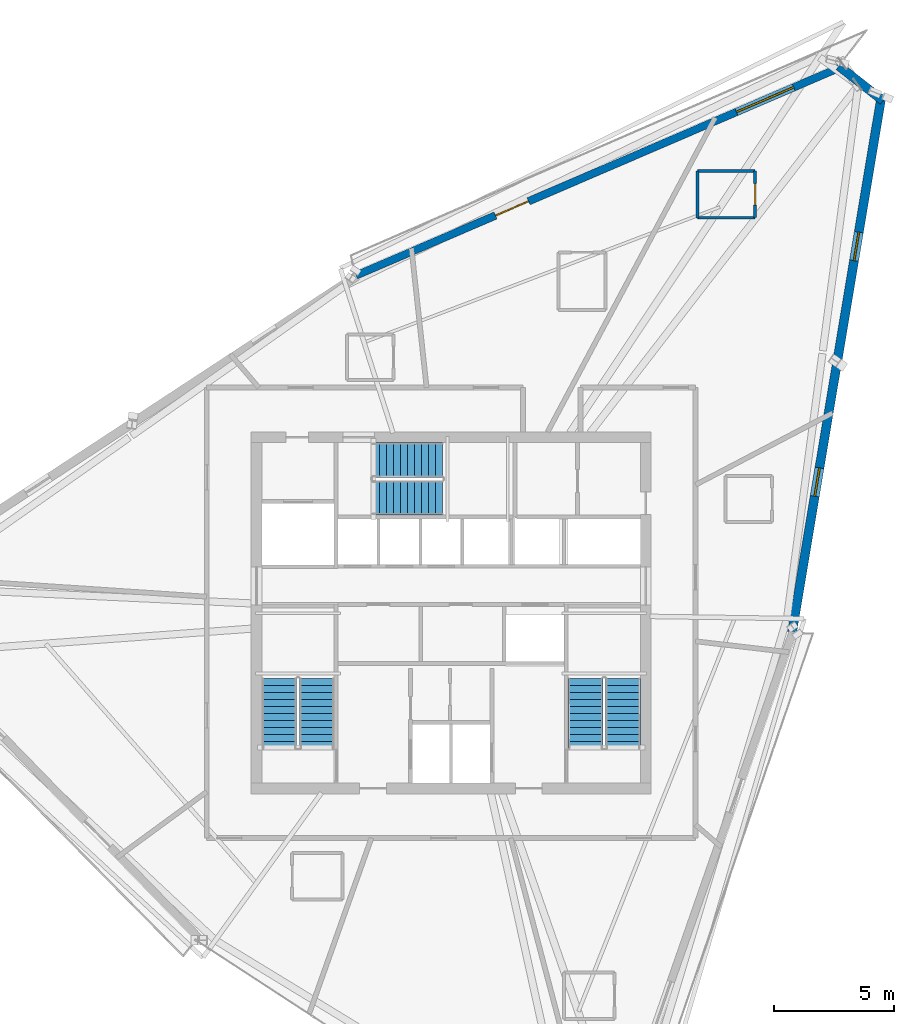
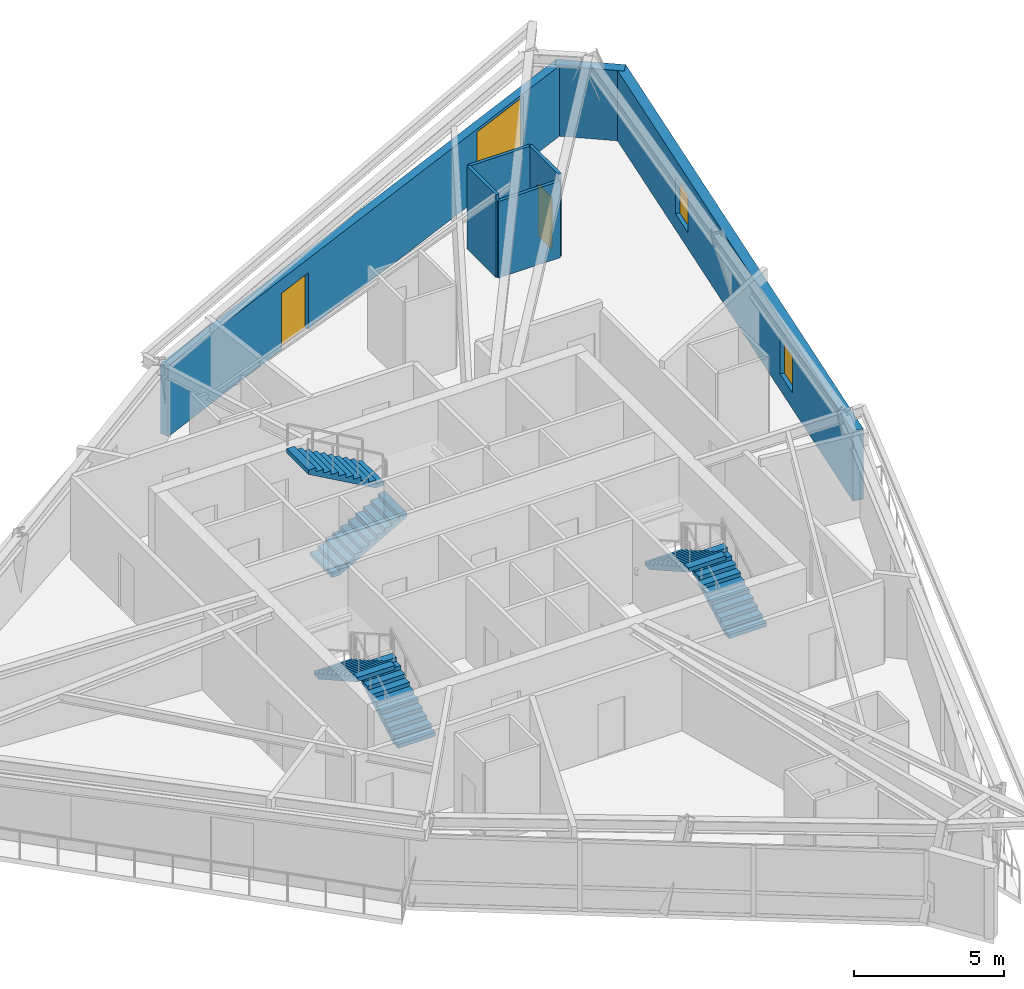
# One storey, part 11 of 14: 7 walls, 6 stair flights, 3 windows, 2 doors, 5 openings, 3 elements without a shape of their own.
"""IFC4 building model written with IfcOpenShell, lengths in metres."""

from ifc_helpers import new_model, si_unit, direction, frame, frame_2d, origin, place, context, subcontext, project, spatial, polyline, rectangle, outline, extrude, source, transform, mapped, material, layer, layer_set, type_object, type_shapes, element, fill, aggregate, save


model = new_model("IFC4")

# Units and contexts
model_context = context("Model", 3, precision=1e-05, world=origin(), true_north=direction((0.0, 1.0)))
body_context = subcontext(model_context, "Body", "Model", "MODEL_VIEW")
ifc_project = project(units=[si_unit("LENGTHUNIT", "METRE"), si_unit("AREAUNIT", "SQUARE_METRE"), si_unit("VOLUMEUNIT", "CUBIC_METRE"), si_unit("PLANEANGLEUNIT", "RADIAN"), si_unit("MASSUNIT", "GRAM", prefix="KILO")], contexts=[model_context])

# Site, building, storey
site_placement = place(None, origin())
site = spatial("IfcSite", under=ifc_project, at=site_placement, CompositionType="ELEMENT")
building_placement = place(site_placement, origin())
building = spatial("IfcBuilding", under=site, at=building_placement, Name="Olszyna Solenne Hotel", CompositionType="ELEMENT")
storey_placement = place(building_placement, frame((0.0, 0.0, 252.5)))
storey = spatial("IfcBuildingStorey", under=building, at=storey_placement, Name="L67", CompositionType="ELEMENT", Elevation=252.5)

# Wall, openings, door, window
ifc_material_1 = material(Name="Precast concrete C45/55", Category="concrete")
ifc_layer_1 = layer(ifc_material_1, 0.320068359375, Name="Precast concrete C45/55")
ifc_layer_set_1 = layer_set([ifc_layer_1], Name="Precast concrete C45/55")
wall_type_1 = type_object("IfcWallType", Name="WL-EX320", PredefinedType="SOLIDWALL", material=ifc_layer_set_1)
wall_1_placement = place(storey_placement, frame((34.03662109375, 40.680419921875, 0.0), z_axis=(0.0, 0.0, 1.0), x_axis=(0.918723841861, 0.394900623444, 0.0)))
wall_1 = element("IfcWall", 1, at=wall_1_placement, inside=storey, type_object=wall_type_1, Name="Exterior terracotta-precast frame wall WL-EX320 EW-L67-08", PredefinedType="SOLIDWALL", context=body_context, shape_type="SweptSolid", body=[
    extrude(rectangle(XDim=22.1240234375, YDim=0.320068359375, at=frame_2d((11.06201171875, 0.0))), origin(), (0.0, 0.0, 1.0), 2.8720703125),
])
opening_1_placement = place(wall_1_placement, frame((6.330078125, 0.0, 0.0)))
opening_1 = element("IfcOpeningElement", 2, at=opening_1_placement, cuts=wall_1, Name="Opening LDG-L67-1", PredefinedType="OPENING", context=body_context, shape_type="SweptSolid", body=[
    extrude(rectangle(XDim=1.5, YDim=2.300048828125, at=frame_2d((0.75, 1.14990234375))), frame((0.0, 0.169921875, 0.0), z_axis=(0.0, -1.0, 0.0), x_axis=(1.0, 0.0, 0.0)), (0.0, 0.0, 1.0), 0.340087890625),
])
opening_2_placement = place(wall_1_placement, frame((17.27197265625, 0.0, 0.402099609375)))
opening_2 = element("IfcOpeningElement", 3, at=opening_2_placement, cuts=wall_1, Name="Opening WN-L67-445", PredefinedType="OPENING", context=body_context, shape_type="SweptSolid", body=[
    extrude(rectangle(XDim=2.60009765625, YDim=2.35009765625, at=frame_2d((1.300048828125, 1.175048828125))), frame((0.0, 0.169921875, 0.0), z_axis=(0.0, -1.0, 0.0), x_axis=(1.0, 0.0, 0.0)), (0.0, 0.0, 1.0), 0.340087890625),
])
ifc_material_2 = material(Name="Anodised bronze aluminium", Category="aluminium")
door_type_1 = type_object("IfcDoorType", Name="DR-LG2", OperationType="DOUBLE_DOOR_SINGLE_SWING", PredefinedType="DOOR", material=ifc_material_2)
shared_shape_1 = source(origin(), body_context, "Body", "SweptSolid", [
    extrude(rectangle(XDim=1.5, YDim=2.300048828125, at=frame_2d((0.75, 1.14990234375))), frame((0.0, 0.02490234375, 0.0), z_axis=(0.0, -1.0, 0.0), x_axis=(1.0, 0.0, 0.0)), (0.0, 0.0, 1.0), 0.050048828125),
])
type_shapes(door_type_1, [shared_shape_1])
door_1_placement = place(opening_1_placement, origin())
door_1 = element("IfcDoor", 4, at=door_1_placement, inside=storey, type_object=door_type_1, Name="Exterior loggia balcony door DR-LG2 LDG-L67-1", OperationType="DOUBLE_DOOR_SINGLE_SWING", OverallHeight=2.300048828125, OverallWidth=1.5, PredefinedType="DOOR", context=body_context, shape_type="MappedRepresentation", body=[
    mapped(shared_shape_1, transform((0.0, 0.0, 0.0), x_axis=(1.0, 0.0, 0.0), y_axis=(0.0, 1.0, 0.0), z_axis=(0.0, 0.0, 1.0), scale=1.0)),
])
fill(opening_1, door_1)
ifc_material_3 = material(Name="Low-E triple glazing", Category="glass")
window_type_1 = type_object("IfcWindowType", Name="WN-ST1", PartitioningType="SINGLE_PANEL", PredefinedType="WINDOW", material=ifc_material_3)
shared_shape_2 = source(origin(), body_context, "Body", "SweptSolid", [
    extrude(rectangle(XDim=2.60009765625, YDim=2.35009765625, at=frame_2d((1.300048828125, 1.175048828125))), frame((0.0, 0.030029296875, 0.0), z_axis=(0.0, -1.0, 0.0), x_axis=(1.0, 0.0, 0.0)), (0.0, 0.0, 1.0), 0.06005859375),
])
type_shapes(window_type_1, [shared_shape_2])
window_1_placement = place(opening_2_placement, origin())
window_1 = element("IfcWindow", 5, at=window_1_placement, inside=storey, type_object=window_type_1, Name="Loggia room window WN-ST1 WN-L67-445", OverallHeight=2.35009765625, OverallWidth=2.60009765625, PartitioningType="SINGLE_PANEL", PredefinedType="WINDOW", context=body_context, shape_type="MappedRepresentation", body=[
    mapped(shared_shape_2, transform((0.0, 0.0, 0.0), x_axis=(1.0, 0.0, 0.0), y_axis=(0.0, 1.0, 0.0), z_axis=(0.0, 0.0, 1.0), scale=1.0)),
])
fill(opening_2, window_1)

# Wall
ifc_material_4 = material(Name="Terracotta cladding on precast concrete C45/55", Category="masonry")
ifc_layer_2 = layer(ifc_material_4, 0.3798828125, Name="Terracotta cladding on precast concrete C45/55")
ifc_layer_set_2 = layer_set([ifc_layer_2], Name="Terracotta cladding on precast concrete C45/55")
wall_type_2 = type_object("IfcWallType", Name="WL-EX380", PredefinedType="SOLIDWALL", material=ifc_layer_set_2)
wall_2_placement = place(storey_placement, frame((54.182373046875, 49.41455078125, 0.0), z_axis=(0.0, 0.0, 1.0), x_axis=(0.787515983011, -0.616294228841, 0.0)))
element("IfcWall", 6, at=wall_2_placement, inside=storey, type_object=wall_type_2, Name="Exterior terracotta-precast frame wall WL-EX380 EW-L67-09", PredefinedType="SOLIDWALL", context=body_context, shape_type="SweptSolid", body=[
    extrude(rectangle(XDim=2.345458984375, YDim=0.3798828125, at=frame_2d((1.1728515625, 0.0))), origin(), (0.0, 0.0, 1.0), 2.8720703125),
])

# Wall, openings, windows
wall_3_placement = place(storey_placement, frame((55.959228515625, 48.14990234375, 0.0), z_axis=(0.0, 0.0, 1.0), x_axis=(-0.164634811141, -0.986354590885, 0.0)))
wall_3 = element("IfcWall", 7, at=wall_3_placement, inside=storey, type_object=wall_type_2, Name="Exterior terracotta-precast frame wall WL-EX380 EW-L67-10", PredefinedType="SOLIDWALL", context=body_context, shape_type="SweptSolid", body=[
    extrude(rectangle(XDim=22.66357421875, YDim=0.3798828125, at=frame_2d((11.331787109375, 0.0))), origin(), (0.0, 0.0, 1.0), 2.8720703125),
])
opening_3_placement = place(wall_3_placement, frame((5.74609375, 0.0, 0.64990234375)))
opening_3 = element("IfcOpeningElement", 8, at=opening_3_placement, cuts=wall_3, Name="Opening WN-L67-446", PredefinedType="OPENING", context=body_context, shape_type="SweptSolid", body=[
    extrude(rectangle(XDim=1.199951171875, YDim=1.5, at=frame_2d((0.60009765625, 0.75))), frame((0.0, 0.199951171875, 0.0), z_axis=(0.0, -1.0, 0.0), x_axis=(1.0, 0.0, 0.0)), (0.0, 0.0, 1.0), 0.39990234375),
])
opening_4_placement = place(wall_3_placement, frame((15.718017578125, 0.0, 0.64990234375)))
opening_4 = element("IfcOpeningElement", 9, at=opening_4_placement, cuts=wall_3, Name="Opening WN-L67-447", PredefinedType="OPENING", context=body_context, shape_type="SweptSolid", body=[
    extrude(rectangle(XDim=1.199951171875, YDim=1.5, at=frame_2d((0.60009765625, 0.75))), frame((0.0, 0.199951171875, 0.0), z_axis=(0.0, -1.0, 0.0), x_axis=(1.0, 0.0, 0.0)), (0.0, 0.0, 1.0), 0.39990234375),
])
window_type_2 = type_object("IfcWindowType", Name="WN-B1", PartitioningType="SINGLE_PANEL", PredefinedType="WINDOW", material=ifc_material_3)
shared_shape_3 = source(origin(), body_context, "Body", "SweptSolid", [
    extrude(rectangle(XDim=1.199951171875, YDim=1.5, at=frame_2d((0.60009765625, 0.75))), frame((0.0, 0.030029296875, 0.0), z_axis=(0.0, -1.0, 0.0), x_axis=(1.0, 0.0, 0.0)), (0.0, 0.0, 1.0), 0.06005859375),
])
type_shapes(window_type_2, [shared_shape_3])
window_2_placement = place(opening_3_placement, origin())
window_2 = element("IfcWindow", 10, at=window_2_placement, inside=storey, type_object=window_type_2, Name="Exterior facade window WN-B1 WN-L67-446", OverallHeight=1.5, OverallWidth=1.199951171875, PartitioningType="SINGLE_PANEL", PredefinedType="WINDOW", context=body_context, shape_type="MappedRepresentation", body=[
    mapped(shared_shape_3, transform((0.0, 0.0, 0.0), x_axis=(1.0, 0.0, 0.0), y_axis=(0.0, 1.0, 0.0), z_axis=(0.0, 0.0, 1.0), scale=1.0)),
])
fill(opening_3, window_2)
window_3_placement = place(opening_4_placement, origin())
window_3 = element("IfcWindow", 11, at=window_3_placement, inside=storey, type_object=window_type_2, Name="Exterior facade window WN-B1 WN-L67-447", OverallHeight=1.5, OverallWidth=1.199951171875, PartitioningType="SINGLE_PANEL", PredefinedType="WINDOW", context=body_context, shape_type="MappedRepresentation", body=[
    mapped(shared_shape_3, transform((0.0, 0.0, 0.0), x_axis=(1.0, 0.0, 0.0), y_axis=(0.0, 1.0, 0.0), z_axis=(0.0, 0.0, 1.0), scale=1.0)),
])
fill(opening_4, window_3)

# Wall, opening, door
ifc_material_5 = material(Name="Acoustic gypsum partition", Category="gypsum")
ifc_layer_3 = layer(ifc_material_5, 0.125, Name="Acoustic gypsum partition")
ifc_layer_set_3 = layer_set([ifc_layer_3], Name="Acoustic gypsum partition")
wall_type_3 = type_object("IfcWallType", Name="WL-PT125", PredefinedType="PARTITIONING", material=ifc_layer_set_3)
wall_4_placement = place(storey_placement, frame((50.68896484375, 43.0859375, 0.0), z_axis=(0.0, 0.0, 1.0), x_axis=(0.0, 1.0, 0.0)))
wall_4 = element("IfcWall", 12, at=wall_4_placement, inside=storey, type_object=wall_type_3, Name="Interior acoustic partition WL-PT125 PW-L67-3742", PredefinedType="PARTITIONING", context=body_context, shape_type="SweptSolid", body=[
    extrude(rectangle(XDim=1.949951171875, YDim=0.125, at=frame_2d((0.97509765625, 0.0))), origin(), (0.0, 0.0, 1.0), 3.3798828125),
])
opening_5_placement = place(wall_4_placement, frame((0.52490234375, 0.0, 0.0)))
opening_5 = element("IfcOpeningElement", 13, at=opening_5_placement, cuts=wall_4, Name="Opening DR-L67-0910", PredefinedType="OPENING", context=body_context, shape_type="SweptSolid", body=[
    extrude(rectangle(XDim=0.89990234375, YDim=2.10009765625, at=frame_2d((0.449951171875, 1.050048828125))), frame((0.0, 0.072509765625, 0.0), z_axis=(0.0, -1.0, 0.0), x_axis=(1.0, 0.0, 0.0)), (0.0, 0.0, 1.0), 0.14501953125),
])
ifc_material_6 = material(Name="Timber hardwood", Category="wood")
door_type_2 = type_object("IfcDoorType", Name="DR-WC1", OperationType="NOTDEFINED", PredefinedType="DOOR", material=ifc_material_6)
shared_shape_4 = source(origin(), body_context, "Body", "SweptSolid", [
    extrude(rectangle(XDim=0.89990234375, YDim=2.10009765625, at=frame_2d((0.449951171875, 1.050048828125))), frame((0.0, 0.02490234375, 0.0), z_axis=(0.0, -1.0, 0.0), x_axis=(1.0, 0.0, 0.0)), (0.0, 0.0, 1.0), 0.050048828125),
])
type_shapes(door_type_2, [shared_shape_4])
door_2_placement = place(opening_5_placement, origin())
door_2 = element("IfcDoor", 14, at=door_2_placement, inside=storey, type_object=door_type_2, Name="En-Suite Bathroom Door DR-L67-0910", OperationType="SINGLE_SWING_RIGHT", OverallHeight=2.10009765625, OverallWidth=0.89990234375, PredefinedType="DOOR", context=body_context, shape_type="MappedRepresentation", body=[
    mapped(shared_shape_4, transform((0.0, 0.0, 0.0), x_axis=(1.0, 0.0, 0.0), y_axis=(0.0, 1.0, 0.0), z_axis=(0.0, 0.0, 1.0), scale=1.0)),
])
fill(opening_5, door_2)

# Walls
wall_5_placement = place(storey_placement, frame((50.68896484375, 45.035888671875, 0.0), z_axis=(0.0, 0.0, 1.0), x_axis=(-1.0, 0.0, 0.0)))
element("IfcWall", 15, at=wall_5_placement, inside=storey, type_object=wall_type_3, Name="Interior acoustic partition WL-PT125 PW-L67-3743", PredefinedType="PARTITIONING", context=body_context, shape_type="SweptSolid", body=[
    extrude(rectangle(XDim=2.39990234375, YDim=0.125, at=frame_2d((1.199951171875, 0.0))), origin(), (0.0, 0.0, 1.0), 3.3798828125),
])
wall_6_placement = place(storey_placement, frame((48.2890625, 45.035888671875, 0.0), z_axis=(0.0, 0.0, 1.0), x_axis=(0.0, -1.0, 0.0)))
element("IfcWall", 16, at=wall_6_placement, inside=storey, type_object=wall_type_3, Name="Interior acoustic partition WL-PT125 PW-L67-3744", PredefinedType="PARTITIONING", context=body_context, shape_type="SweptSolid", body=[
    extrude(rectangle(XDim=1.949951171875, YDim=0.125, at=frame_2d((0.97509765625, 0.0))), origin(), (0.0, 0.0, 1.0), 3.3798828125),
])
wall_7_placement = place(storey_placement, frame((48.2890625, 43.0859375, 0.0), z_axis=(0.0, 0.0, 1.0), x_axis=(1.0, 0.0, 0.0)))
element("IfcWall", 17, at=wall_7_placement, inside=storey, type_object=wall_type_3, Name="Interior acoustic partition WL-PT125 PW-L67-3745", PredefinedType="PARTITIONING", context=body_context, shape_type="SweptSolid", body=[
    extrude(rectangle(XDim=2.39990234375, YDim=0.125, at=frame_2d((1.199951171875, 0.0))), origin(), (0.0, 0.0, 1.0), 3.125),
])

# Stair, stair flights
ifc_material_7 = material(Name="Concrete C40/50", Category="concrete")
stair_type = type_object("IfcStairType", Name="STR-C1", PredefinedType="TWO_QUARTER_WINDING_STAIR", material=ifc_material_7)
stair_1_placement = place(storey_placement, origin())
stair_1 = element("IfcStair", 18, at=stair_1_placement, inside=storey, type_object=stair_type, Name="L67 ST1", PredefinedType="TWO_QUARTER_WINDING_STAIR")
stair_flight_type = type_object("IfcStairFlightType", Name="FLT-C1", PredefinedType="STRAIGHT", material=ifc_material_7)
stair_flight_1_placement = place(storey_placement, frame((32.39501953125, 20.949951171875, 0.0), z_axis=(0.0, 0.0, 1.0), x_axis=(0.0, 1.0, 0.0)))
stair_flight_1 = element("IfcStairFlight", 19, at=stair_flight_1_placement, type_object=stair_flight_type, Name="ST1 flight 1", NumberOfRisers=11, NumberOfTreads=10, PredefinedType="STRAIGHT", RiserHeight=0.163636364, TreadLength=0.29, context=body_context, shape_type="SweptSolid", body=[
    extrude(outline(polyline([(0.0, 0.0), (0.0, 0.16357421875), (0.2900390625, 0.16357421875), (0.2900390625, 0.327392578125), (0.580078125, 0.327392578125), (0.580078125, 0.490966796875), (0.8701171875, 0.490966796875), (0.8701171875, 0.654541015625), (1.159912109375, 0.654541015625), (1.159912109375, 0.818115234375), (1.449951171875, 0.818115234375), (1.449951171875, 0.98193359375), (1.739990234375, 0.98193359375), (1.739990234375, 1.1455078125), (2.030029296875, 1.1455078125), (2.030029296875, 1.30908203125), (2.320068359375, 1.30908203125), (2.320068359375, 1.47265625), (2.610107421875, 1.47265625), (2.610107421875, 1.636474609375), (2.89990234375, 1.636474609375), (2.89990234375, 1.800048828125), (2.89990234375, 1.46435546875), (0.304931640625, 0.0), (0.0, 0.0)])), frame((0.0, 0.72509765625, 0.0), z_axis=(0.0, -1.0, 0.0), x_axis=(1.0, 0.0, 0.0)), (0.0, 0.0, 1.0), 1.449951171875),
])
stair_flight_2_placement = place(storey_placement, frame((30.824951171875, 23.85009765625, 1.800048828125), z_axis=(0.0, 0.0, 1.0), x_axis=(0.0, -1.0, 0.0)))
stair_flight_2 = element("IfcStairFlight", 20, at=stair_flight_2_placement, type_object=stair_flight_type, Name="ST1 flight 2", NumberOfRisers=11, NumberOfTreads=10, PredefinedType="STRAIGHT", RiserHeight=0.163636364, TreadLength=0.29, context=body_context, shape_type="SweptSolid", body=[
    extrude(outline(polyline([(0.0, 0.0), (0.0, 0.16357421875), (0.2900390625, 0.16357421875), (0.2900390625, 0.327392578125), (0.580078125, 0.327392578125), (0.580078125, 0.490966796875), (0.8701171875, 0.490966796875), (0.8701171875, 0.654541015625), (1.159912109375, 0.654541015625), (1.159912109375, 0.818115234375), (1.449951171875, 0.818115234375), (1.449951171875, 0.98193359375), (1.739990234375, 0.98193359375), (1.739990234375, 1.1455078125), (2.030029296875, 1.1455078125), (2.030029296875, 1.30908203125), (2.320068359375, 1.30908203125), (2.320068359375, 1.47265625), (2.610107421875, 1.47265625), (2.610107421875, 1.636474609375), (2.89990234375, 1.636474609375), (2.89990234375, 1.800048828125), (2.89990234375, 1.46435546875), (0.304931640625, 0.0), (0.0, 0.0)])), frame((0.0, 0.72509765625, 0.0), z_axis=(0.0, -1.0, 0.0), x_axis=(1.0, 0.0, 0.0)), (0.0, 0.0, 1.0), 1.449951171875),
])
aggregate(stair_1, [stair_flight_1, stair_flight_2])

stair_2_placement = place(storey_placement, origin())
stair_2 = element("IfcStair", 21, at=stair_2_placement, inside=storey, type_object=stair_type, Name="L67 ST2", PredefinedType="TWO_QUARTER_WINDING_STAIR")
stair_flight_3_placement = place(storey_placement, frame((45.175048828125, 20.949951171875, 0.0), z_axis=(0.0, 0.0, 1.0), x_axis=(0.0, 1.0, 0.0)))
stair_flight_3 = element("IfcStairFlight", 22, at=stair_flight_3_placement, type_object=stair_flight_type, Name="ST2 flight 1", NumberOfRisers=11, NumberOfTreads=10, PredefinedType="STRAIGHT", RiserHeight=0.163636364, TreadLength=0.29, context=body_context, shape_type="SweptSolid", body=[
    extrude(outline(polyline([(0.0, 0.0), (0.0, 0.16357421875), (0.2900390625, 0.16357421875), (0.2900390625, 0.327392578125), (0.580078125, 0.327392578125), (0.580078125, 0.490966796875), (0.8701171875, 0.490966796875), (0.8701171875, 0.654541015625), (1.159912109375, 0.654541015625), (1.159912109375, 0.818115234375), (1.449951171875, 0.818115234375), (1.449951171875, 0.98193359375), (1.739990234375, 0.98193359375), (1.739990234375, 1.1455078125), (2.030029296875, 1.1455078125), (2.030029296875, 1.30908203125), (2.320068359375, 1.30908203125), (2.320068359375, 1.47265625), (2.610107421875, 1.47265625), (2.610107421875, 1.636474609375), (2.89990234375, 1.636474609375), (2.89990234375, 1.800048828125), (2.89990234375, 1.46435546875), (0.304931640625, 0.0), (0.0, 0.0)])), frame((0.0, 0.72509765625, 0.0), z_axis=(0.0, -1.0, 0.0), x_axis=(1.0, 0.0, 0.0)), (0.0, 0.0, 1.0), 1.449951171875),
])
stair_flight_4_placement = place(storey_placement, frame((43.60498046875, 23.85009765625, 1.800048828125), z_axis=(0.0, 0.0, 1.0), x_axis=(0.0, -1.0, 0.0)))
stair_flight_4 = element("IfcStairFlight", 23, at=stair_flight_4_placement, type_object=stair_flight_type, Name="ST2 flight 2", NumberOfRisers=11, NumberOfTreads=10, PredefinedType="STRAIGHT", RiserHeight=0.163636364, TreadLength=0.29, context=body_context, shape_type="SweptSolid", body=[
    extrude(outline(polyline([(0.0, 0.0), (0.0, 0.16357421875), (0.2900390625, 0.16357421875), (0.2900390625, 0.327392578125), (0.580078125, 0.327392578125), (0.580078125, 0.490966796875), (0.8701171875, 0.490966796875), (0.8701171875, 0.654541015625), (1.159912109375, 0.654541015625), (1.159912109375, 0.818115234375), (1.449951171875, 0.818115234375), (1.449951171875, 0.98193359375), (1.739990234375, 0.98193359375), (1.739990234375, 1.1455078125), (2.030029296875, 1.1455078125), (2.030029296875, 1.30908203125), (2.320068359375, 1.30908203125), (2.320068359375, 1.47265625), (2.610107421875, 1.47265625), (2.610107421875, 1.636474609375), (2.89990234375, 1.636474609375), (2.89990234375, 1.800048828125), (2.89990234375, 1.46435546875), (0.304931640625, 0.0), (0.0, 0.0)])), frame((0.0, 0.72509765625, 0.0), z_axis=(0.0, -1.0, 0.0), x_axis=(1.0, 0.0, 0.0)), (0.0, 0.0, 1.0), 1.449951171875),
])
aggregate(stair_2, [stair_flight_3, stair_flight_4])

stair_3_placement = place(storey_placement, origin())
stair_3 = element("IfcStair", 24, at=stair_3_placement, inside=storey, type_object=stair_type, Name="L67 ST3", PredefinedType="TWO_QUARTER_WINDING_STAIR")
stair_flight_5_placement = place(storey_placement, frame((34.72998046875, 31.405029296875, 0.0), z_axis=(0.0, 0.0, 1.0), x_axis=(1.0, 0.0, 0.0)))
stair_flight_5 = element("IfcStairFlight", 25, at=stair_flight_5_placement, type_object=stair_flight_type, Name="ST3 flight 1", NumberOfRisers=11, NumberOfTreads=10, PredefinedType="STRAIGHT", RiserHeight=0.163636364, TreadLength=0.29, context=body_context, shape_type="SweptSolid", body=[
    extrude(outline(polyline([(0.0, 0.0), (0.0, 0.16357421875), (0.2900390625, 0.16357421875), (0.2900390625, 0.327392578125), (0.580078125, 0.327392578125), (0.580078125, 0.490966796875), (0.8701171875, 0.490966796875), (0.8701171875, 0.654541015625), (1.159912109375, 0.654541015625), (1.159912109375, 0.818115234375), (1.449951171875, 0.818115234375), (1.449951171875, 0.98193359375), (1.739990234375, 0.98193359375), (1.739990234375, 1.1455078125), (2.030029296875, 1.1455078125), (2.030029296875, 1.30908203125), (2.320068359375, 1.30908203125), (2.320068359375, 1.47265625), (2.610107421875, 1.47265625), (2.610107421875, 1.636474609375), (2.89990234375, 1.636474609375), (2.89990234375, 1.800048828125), (2.89990234375, 1.46435546875), (0.304931640625, 0.0), (0.0, 0.0)])), frame((0.0, 0.72509765625, 0.0), z_axis=(0.0, -1.0, 0.0), x_axis=(1.0, 0.0, 0.0)), (0.0, 0.0, 1.0), 1.449951171875),
])
stair_flight_6_placement = place(storey_placement, frame((37.6298828125, 32.97509765625, 1.800048828125), z_axis=(0.0, 0.0, 1.0), x_axis=(-1.0, 0.0, 0.0)))
stair_flight_6 = element("IfcStairFlight", 26, at=stair_flight_6_placement, type_object=stair_flight_type, Name="ST3 flight 2", NumberOfRisers=11, NumberOfTreads=10, PredefinedType="STRAIGHT", RiserHeight=0.163636364, TreadLength=0.29, context=body_context, shape_type="SweptSolid", body=[
    extrude(outline(polyline([(0.0, 0.0), (0.0, 0.16357421875), (0.2900390625, 0.16357421875), (0.2900390625, 0.327392578125), (0.580078125, 0.327392578125), (0.580078125, 0.490966796875), (0.8701171875, 0.490966796875), (0.8701171875, 0.654541015625), (1.159912109375, 0.654541015625), (1.159912109375, 0.818115234375), (1.449951171875, 0.818115234375), (1.449951171875, 0.98193359375), (1.739990234375, 0.98193359375), (1.739990234375, 1.1455078125), (2.030029296875, 1.1455078125), (2.030029296875, 1.30908203125), (2.320068359375, 1.30908203125), (2.320068359375, 1.47265625), (2.610107421875, 1.47265625), (2.610107421875, 1.636474609375), (2.89990234375, 1.636474609375), (2.89990234375, 1.800048828125), (2.89990234375, 1.46435546875), (0.304931640625, 0.0), (0.0, 0.0)])), frame((0.0, 0.72509765625, 0.0), z_axis=(0.0, -1.0, 0.0), x_axis=(1.0, 0.0, 0.0)), (0.0, 0.0, 1.0), 1.449951171875),
])
aggregate(stair_3, [stair_flight_5, stair_flight_6])

save(model, "model.ifc")
